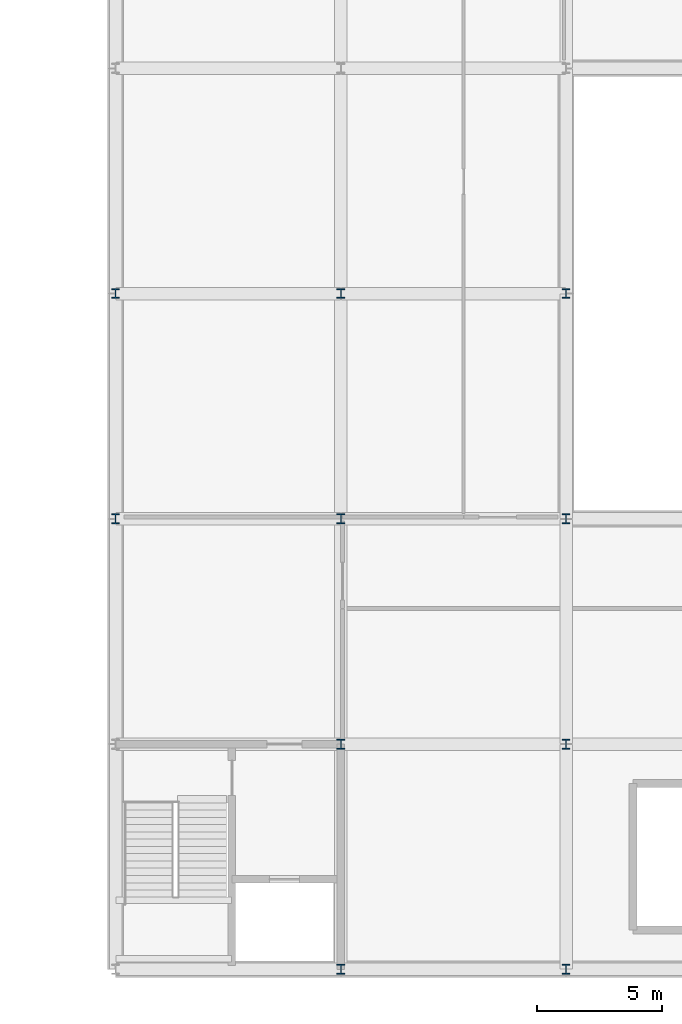
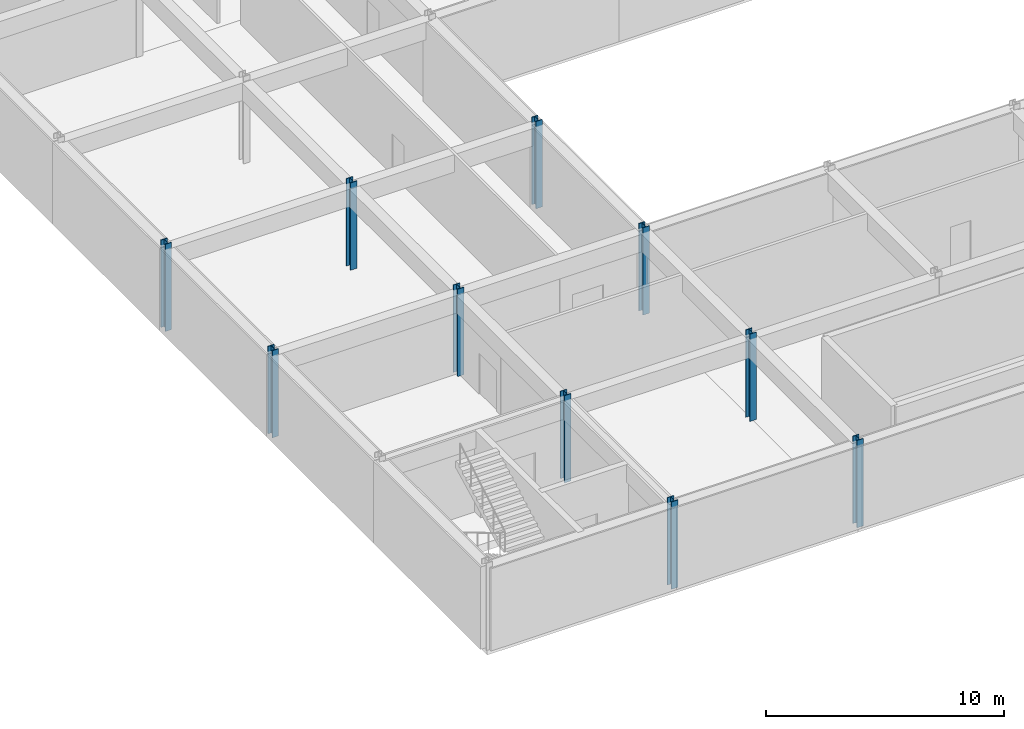
# One storey, part 3 of 35: 10 columns.
"""IFC4 building model written with IfcOpenShell, lengths in metres."""

from ifc_helpers import new_model, si_unit, direction, frame, origin, origin_2d, place, context, subcontext, project, spatial, i_section, extrude, material, material_profile, profile_set, type_object, element, save


model = new_model("IFC4")

# Units and contexts
model_context = context("Model", 3, precision=1e-05, world=origin(), true_north=direction((0.0, 1.0)))
body_context = subcontext(model_context, "Body", "Model", "MODEL_VIEW")
ifc_project = project(units=[si_unit("LENGTHUNIT", "METRE"), si_unit("AREAUNIT", "SQUARE_METRE"), si_unit("VOLUMEUNIT", "CUBIC_METRE"), si_unit("PLANEANGLEUNIT", "RADIAN"), si_unit("MASSUNIT", "GRAM", prefix="KILO")], contexts=[model_context])

# Site, building, storey
site_placement = place(None, origin())
site = spatial("IfcSite", under=ifc_project, at=site_placement, CompositionType="ELEMENT")
building_placement = place(site_placement, origin())
building = spatial("IfcBuilding", under=site, at=building_placement, Name="Palais des Congres Ocreval", CompositionType="ELEMENT")
storey_placement = place(building_placement, frame((0.0, 0.0, -4.47998046875)))
storey = spatial("IfcBuildingStorey", under=building, at=storey_placement, Name="B1", CompositionType="ELEMENT", Elevation=-4.47998046875)

# Columns
ifc_material = material(Name="Steel S355", Category="steel")
ifc_material_profile = material_profile(ifc_material, i_section(OverallWidth=0.30810546875, OverallDepth=0.39501953125, WebThickness=0.02099609375, FlangeThickness=0.0400390625, at=origin_2d()), Name="HEM 360")
ifc_profile_set = profile_set([ifc_material_profile], Name="Steel S355")
column_type = type_object("IfcColumnType", Name="Column HEM 360 Steel S355", PredefinedType="COLUMN", material=ifc_profile_set)
for number, where, z_axis, x_axis, name in (
    (1, (108.0, 18.0, 0.0), (0.0, 0.0, 1.0), (1.0, 0.0, 0.0), "Column C07 B1"),
    (2, (108.0, 27.0, 0.0), (0.0, 0.0, 1.0), (1.0, 0.0, 0.0), "Column C07 B1"),
    (3, (117.0, 0.0, 0.0), (0.0, 0.0, 1.0), (1.0, 0.0, 0.0), "Column C07 B1"),
    (4, (117.0, 9.0, 0.0), (0.0, 0.0, 1.0), (1.0, 0.0, 0.0), "Column C07 B1"),
    (5, (117.0, 18.0, 0.0), (0.0, 0.0, 1.0), (1.0, 0.0, 0.0), "Column C07 B1"),
    (6, (117.0, 27.0, 0.0), (0.0, 0.0, 1.0), (1.0, 0.0, 0.0), "Column C07 B1"),
    (7, (126.0, 0.0, 0.0), (0.0, 0.0, 1.0), (1.0, 0.0, 0.0), "Column C07 B1"),
    (8, (126.0, 9.0, 0.0), (0.0, 0.0, 1.0), (1.0, 0.0, 0.0), "Column C07 B1"),
    (9, (126.0, 18.0, 0.0), (0.0, 0.0, 1.0), (1.0, 0.0, 0.0), "Column C07 B1"),
    (10, (126.0, 27.0, 0.0), (0.0, 0.0, 1.0), (1.0, 0.0, 0.0), "Column C07 B1"),
):
    element("IfcColumn", number, at=place(storey_placement, frame(where, z_axis=z_axis, x_axis=x_axis)), inside=storey, type_object=column_type, Name=name, PredefinedType="COLUMN", context=body_context, shape_type="SweptSolid", body=[
        extrude(i_section(OverallWidth=0.30810546875, OverallDepth=0.39501953125, WebThickness=0.02099609375, FlangeThickness=0.0400390625, at=origin_2d()), origin(), (0.0, 0.0, 1.0), 4.47998046875),
    ])

save(model, "model.ifc")
